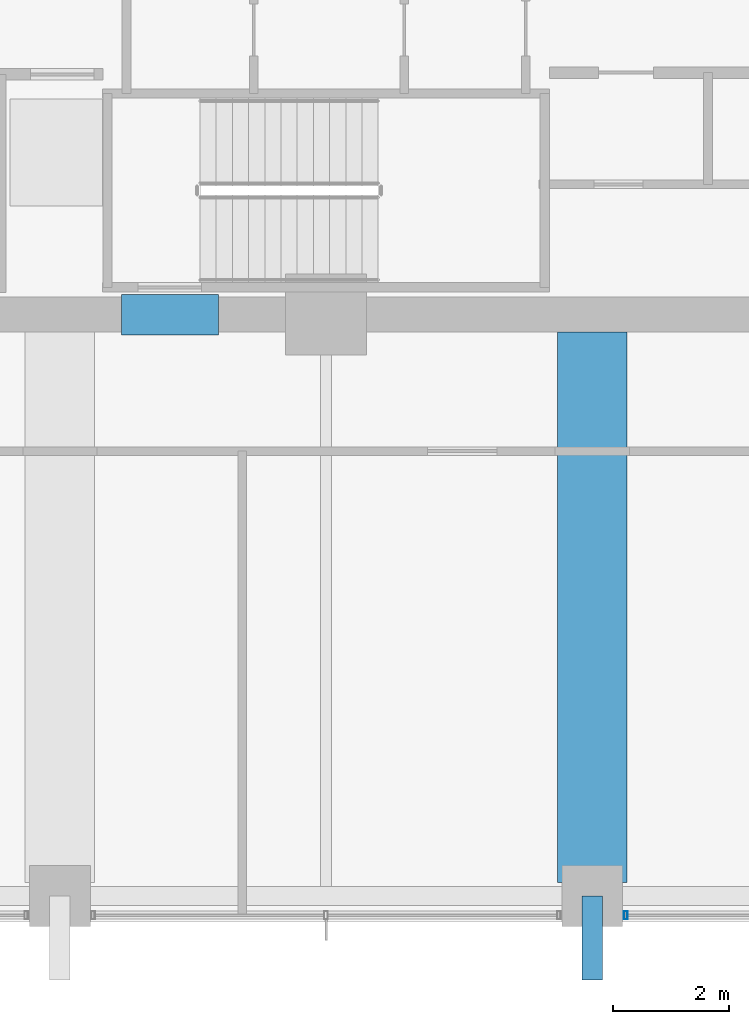
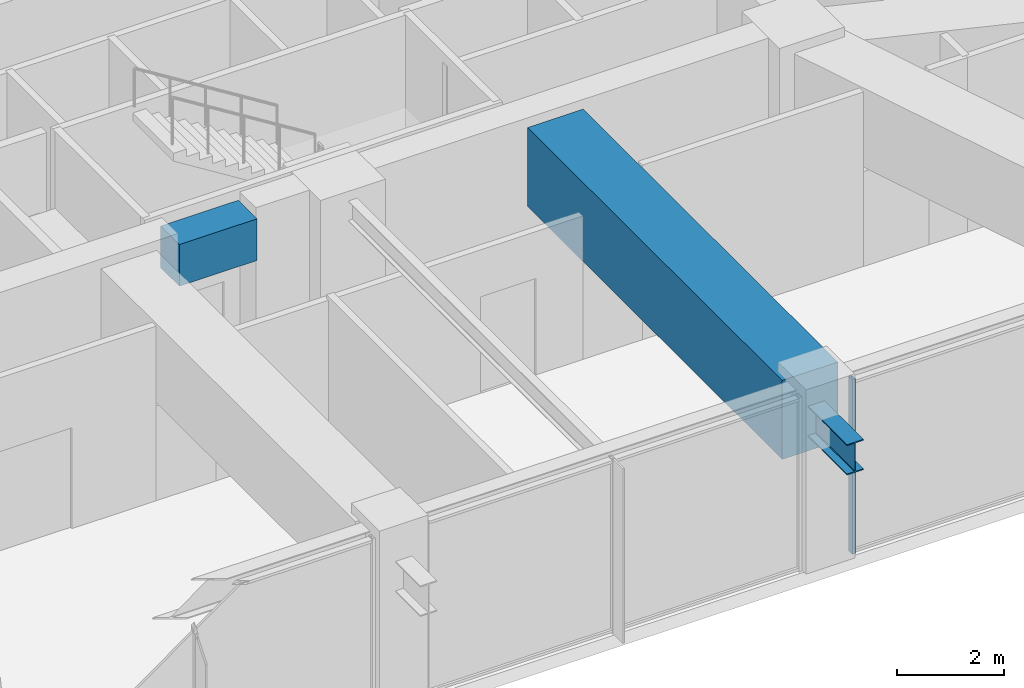
# One storey, part 7 of 40: 3 beams, 1 member, 1 element without a shape of its own.
"""IFC4 building model written with IfcOpenShell, lengths in metres."""

from ifc_helpers import new_model, si_unit, direction, frame, origin, origin_2d, place, context, subcontext, project, spatial, rectangle, hollow_rectangle, i_section, extrude, material, material_profile, profile_set, type_object, element, aggregate, save


model = new_model("IFC4")

# Units and contexts
model_context = context("Model", 3, precision=1e-05, world=origin(), true_north=direction((0.0, 1.0)))
body_context = subcontext(model_context, "Body", "Model", "MODEL_VIEW")
ifc_project = project(units=[si_unit("LENGTHUNIT", "METRE"), si_unit("AREAUNIT", "SQUARE_METRE"), si_unit("VOLUMEUNIT", "CUBIC_METRE"), si_unit("PLANEANGLEUNIT", "RADIAN"), si_unit("MASSUNIT", "GRAM", prefix="KILO")], contexts=[model_context])

# Site, building, storey
site_placement = place(None, origin())
site = spatial("IfcSite", under=ifc_project, at=site_placement, CompositionType="ELEMENT")
building_placement = place(site_placement, origin())
building = spatial("IfcBuilding", under=site, at=building_placement, Name="Kolvaren Belvedere", CompositionType="ELEMENT")
storey_placement = place(building_placement, frame((0.0, 0.0, 68.0)))
storey = spatial("IfcBuildingStorey", under=building, at=storey_placement, Name="L19", CompositionType="ELEMENT", Elevation=68.0)

# Beams
ifc_material_1 = material(Name="Structural steel ASTM A992 Grade 50", Category="steel")
ifc_material_profile_1 = material_profile(ifc_material_1, i_section(OverallWidth=0.35498046875, OverallDepth=0.696044921875, WebThickness=0.015380859375, FlangeThickness=0.02490234375, FilletRadius=0.02197265625, at=origin_2d()), Name="W27X146")
ifc_profile_set_1 = profile_set([ifc_material_profile_1], Name="Structural steel ASTM A992 Grade 50")
beam_type_1 = type_object("IfcBeamType", Name="BM-CANT-BAL", PredefinedType="BEAM", material=ifc_profile_set_1)
beam_1_placement = place(storey_placement, frame((4.60009765625, -19.949951171875, 3.0419921875), z_axis=(0.0, -1.0, 0.0), x_axis=(1.0, 0.0, 0.0)))
element("IfcBeam", 1, at=beam_1_placement, inside=storey, type_object=beam_type_1, Name="L19 South Picture-Frame Column Corbel P", PredefinedType="BEAM", context=body_context, shape_type="SweptSolid", body=[
    extrude(i_section(OverallWidth=0.35498046875, OverallDepth=0.696044921875, WebThickness=0.015380859375, FlangeThickness=0.02490234375, FilletRadius=0.02197265625, at=origin_2d()), origin(), (0.0, 0.0, 1.0), 1.449951171875),
])
ifc_material_2 = material(Name="Concrete C60/75", Category="concrete")
ifc_material_profile_2 = material_profile(ifc_material_2, rectangle(XDim=0.699951171875, YDim=0.949951171875, at=origin_2d()), Name="RC 700X950")
ifc_profile_set_2 = profile_set([ifc_material_profile_2], Name="Concrete C60/75")
beam_type_2 = type_object("IfcBeamType", Name="BM-LINT-950", PredefinedType="LINTEL", material=ifc_profile_set_2)
beam_2_placement = place(storey_placement, frame((-3.5400390625, -9.89990234375, 3.5048828125), z_axis=(1.0, 0.0, 0.0), x_axis=(0.0, 1.0, 0.0)))
element("IfcBeam", 2, at=beam_2_placement, inside=storey, type_object=beam_type_2, Name="L19 South Core Coupling Lintel", PredefinedType="LINTEL", context=body_context, shape_type="SweptSolid", body=[
    extrude(rectangle(XDim=0.699951171875, YDim=0.949951171875, at=origin_2d()), origin(), (0.0, 0.0, 1.0), 1.679931640625),
])
ifc_material_3 = material(Name="Concrete C50/60", Category="concrete")
ifc_material_profile_3 = material_profile(ifc_material_3, rectangle(XDim=1.199951171875, YDim=1.800048828125, at=origin_2d()), Name="RC 1200X1800")
ifc_profile_set_3 = profile_set([ifc_material_profile_3], Name="Concrete C50/60")
beam_type_3 = type_object("IfcBeamType", Name="BM-TG-1800", PredefinedType="BEAM", material=ifc_profile_set_3)
beam_3_placement = place(storey_placement, frame((4.60009765625, -10.199951171875, 3.080078125), z_axis=(0.0, -1.0, 0.0), x_axis=(1.0, 0.0, 0.0)))
element("IfcBeam", 3, at=beam_3_placement, inside=storey, type_object=beam_type_3, Name="L19 South Radial Girder P", PredefinedType="BEAM", context=body_context, shape_type="SweptSolid", body=[
    extrude(rectangle(XDim=1.199951171875, YDim=1.800048828125, at=origin_2d()), origin(), (0.0, 0.0, 1.0), 9.513916015625),
])

# Curtain wall, member
ifc_material_4 = material(Name="Anodised pale-metal aluminium AA 6063-T6", Category="aluminium")
curtain_wall_type = type_object("IfcCurtainWallType", Name="CW-Z2-MID", PredefinedType="NOTDEFINED", material=ifc_material_4)
curtain_wall_placement = place(storey_placement, origin())
curtain_wall = element("IfcCurtainWall", 4, at=curtain_wall_placement, inside=storey, type_object=curtain_wall_type, Name="L19 Unitised Curtain Wall FCW-L19-S-B1", PredefinedType="NOTDEFINED")
ifc_material_5 = material(Name="Anodised pale-metal aluminium AA 6063-T6", Category="aluminium")
ifc_material_profile_4 = material_profile(ifc_material_5, hollow_rectangle(XDim=0.06494140625, YDim=0.139892578125, WallThickness=0.00390625, at=origin_2d()), Name="ALU-MUL-140X65")
ifc_profile_set_4 = profile_set([ifc_material_profile_4], Name="Anodised pale-metal aluminium AA 6063-T6")
member_type = type_object("IfcMemberType", Name="CW-MUL-140", PredefinedType="MULLION", material=ifc_profile_set_4)
member_placement = place(storey_placement, frame((5.177490234375, -20.280029296875, 0.0), z_axis=(0.0, 0.0, 1.0), x_axis=(1.0, 0.0, 0.0)))
member = element("IfcMember", 5, at=member_placement, type_object=member_type, Name="FCW-L19-S-B1 Unitised Mullion 3", PredefinedType="MULLION", context=body_context, shape_type="SweptSolid", body=[
    extrude(hollow_rectangle(XDim=0.06494140625, YDim=0.139892578125, WallThickness=0.00390625, at=origin_2d()), origin(), (0.0, 0.0, 1.0), 3.97998046875),
])
aggregate(curtain_wall, [member])

save(model, "model.ifc")
